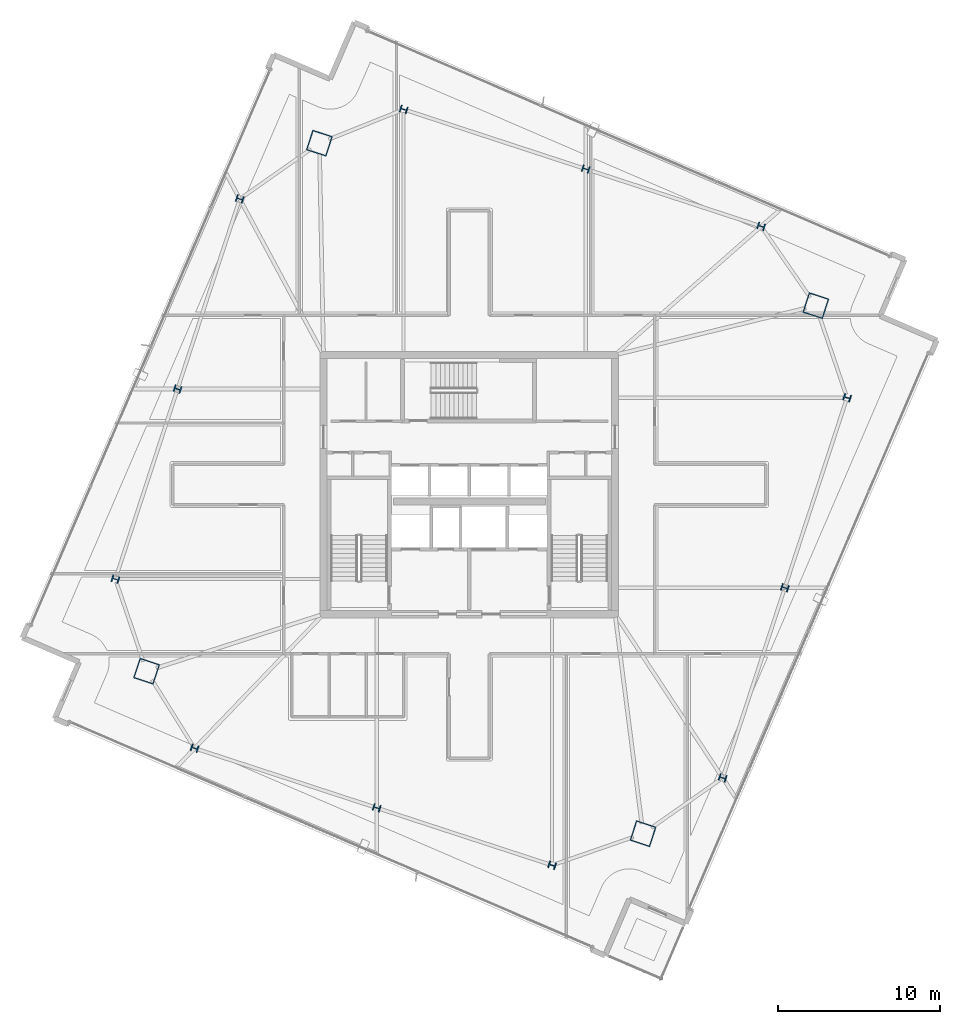
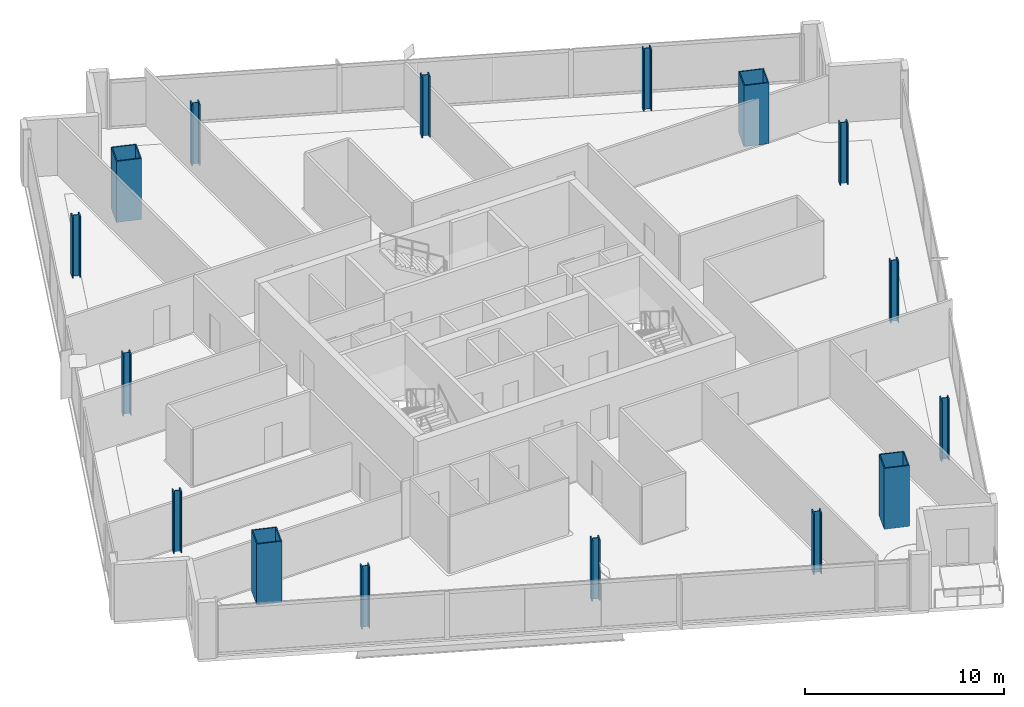
# One storey, part 1 of 28: 16 columns.
"""IFC4 building model written with IfcOpenShell, lengths in metres."""

from ifc_helpers import new_model, si_unit, direction, frame, origin, origin_2d, place, context, subcontext, project, spatial, hollow_rectangle, i_section, extrude, material, material_profile, profile_set, type_object, element, save


model = new_model("IFC4")

# Units and contexts
model_context = context("Model", 3, precision=1e-05, world=origin(), true_north=direction((0.0, 1.0)))
body_context = subcontext(model_context, "Body", "Model", "MODEL_VIEW")
ifc_project = project(units=[si_unit("LENGTHUNIT", "METRE"), si_unit("AREAUNIT", "SQUARE_METRE"), si_unit("VOLUMEUNIT", "CUBIC_METRE"), si_unit("PLANEANGLEUNIT", "RADIAN"), si_unit("MASSUNIT", "GRAM", prefix="KILO")], contexts=[model_context])

# Site, building, storey
site_placement = place(None, origin())
site = spatial("IfcSite", under=ifc_project, at=site_placement, CompositionType="ELEMENT")
building_placement = place(site_placement, origin())
building = spatial("IfcBuilding", under=site, at=building_placement, Name="Haldenkirk Collegiate Tower", CompositionType="ELEMENT")
storey_placement = place(building_placement, frame((0.0, 0.0, 252.449951171875)))
storey = spatial("IfcBuildingStorey", under=building, at=storey_placement, Name="L63", CompositionType="ELEMENT", Elevation=252.449951171875)

# Columns
ifc_material_1 = material(Name="Steel ASTM A913 Grade 65", Category="steel")
ifc_material_profile_1 = material_profile(ifc_material_1, i_section(OverallWidth=0.416015625, OverallDepth=0.445068359375, WebThickness=0.0390625, FlangeThickness=0.062744140625, at=origin_2d()), Name="W14X342")
ifc_profile_set_1 = profile_set([ifc_material_profile_1], Name="Steel ASTM A913 Grade 65")
column_type_1 = type_object("IfcColumnType", Name="COL-INT-W14X342", PredefinedType="COLUMN", material=ifc_profile_set_1)
for number, where, z_axis, x_axis, name in (
    (1, (51.64306640625, 7.888671875, 0.0), (0.0, 0.0, 1.0), (0.311008203279, 0.950407227189, 0.0), "L63 perimeter gravity column PC-S1"),
    (2, (55.4833984375, 19.624267578125, 0.0), (0.0, 0.0, 1.0), (0.311008203279, 0.950407227189, 0.0), "L63 perimeter gravity column PC-S2"),
    (3, (59.32373046875, 31.360107421875, 0.0), (0.0, 0.0, 1.0), (0.311008203279, 0.950407227189, 0.0), "L63 perimeter gravity column PC-S3"),
    (4, (54.01806640625, 41.9365234375, 0.0), (0.0, 0.0, 1.0), (0.311008203279, 0.950407227189, 0.0), "L63 perimeter gravity column PC-E1"),
    (5, (43.18994140625, 45.47998046875, 0.0), (0.0, 0.0, 1.0), (0.311008203279, 0.950407227189, 0.0), "L63 perimeter gravity column PC-E2"),
    (6, (31.949462890625, 49.158203125, 0.0), (0.0, 0.0, 1.0), (0.311008203279, 0.950407227189, 0.0), "L63 perimeter gravity column PC-E3"),
    (7, (21.830078125, 43.629150390625, 0.0), (0.0, 0.0, 1.0), (0.311008203279, 0.950407227189, 0.0), "L63 perimeter gravity column PC-N1"),
    (8, (17.98974609375, 31.8935546875, 0.0), (0.0, 0.0, 1.0), (0.311008203279, 0.950407227189, 0.0), "L63 perimeter gravity column PC-N2"),
    (9, (14.1494140625, 20.157958984375, 0.0), (0.0, 0.0, 1.0), (0.311008203279, 0.950407227189, 0.0), "L63 perimeter gravity column PC-N3"),
    (10, (19.042724609375, 9.71630859375, 0.0), (0.0, 0.0, 1.0), (0.311008203279, 0.950407227189, 0.0), "L63 perimeter gravity column PC-W1"),
    (11, (30.283203125, 6.0380859375, 0.0), (0.0, 0.0, 1.0), (0.311008203279, 0.950407227189, 0.0), "L63 perimeter gravity column PC-W2"),
    (12, (41.111083984375, 2.49462890625, 0.0), (0.0, 0.0, 1.0), (0.311008203279, 0.950407227189, 0.0), "L63 perimeter gravity column PC-W3"),
):
    element("IfcColumn", number, at=place(storey_placement, frame(where, z_axis=z_axis, x_axis=x_axis)), inside=storey, type_object=column_type_1, Name=name, PredefinedType="COLUMN", context=body_context, shape_type="SweptSolid", body=[
        extrude(i_section(OverallWidth=0.416015625, OverallDepth=0.445068359375, WebThickness=0.0390625, FlangeThickness=0.062744140625, at=origin_2d()), origin(), (0.0, 0.0, 1.0), 3.75),
    ])
ifc_material_2 = material(Name="Steel ASTM A572 Grade 50", Category="steel")
ifc_material_profile_2 = material_profile(ifc_material_2, hollow_rectangle(XDim=1.300048828125, YDim=1.300048828125, WallThickness=0.06005859375, at=origin_2d()), Name="BOX1300X1300X60")
ifc_profile_set_2 = profile_set([ifc_material_profile_2], Name="Steel ASTM A572 Grade 50")
column_type_2 = type_object("IfcColumnType", Name="COL-MEGA-BOX1300X1300X60", PredefinedType="COLUMN", material=ifc_profile_set_2)
for number, where, z_axis, x_axis, name in (
    (13, (46.72802734375, 4.444580078125, 0.0), (0.0, 0.0, 1.0), (0.311008203279, 0.950407227189, 0.0), "L63 corner mega-column MC1"),
    (14, (57.395751953125, 37.04345703125, 0.0), (0.0, 0.0, 1.0), (0.311008203279, 0.950407227189, 0.0), "L63 corner mega-column MC2"),
    (15, (26.7451171875, 47.073486328125, 0.0), (0.0, 0.0, 1.0), (0.311008203279, 0.950407227189, 0.0), "L63 corner mega-column MC3"),
    (16, (16.077392578125, 14.474609375, 0.0), (0.0, 0.0, 1.0), (0.311008203279, 0.950407227189, 0.0), "L63 corner mega-column MC4"),
):
    element("IfcColumn", number, at=place(storey_placement, frame(where, z_axis=z_axis, x_axis=x_axis)), inside=storey, type_object=column_type_2, Name=name, PredefinedType="COLUMN", context=body_context, shape_type="SweptSolid", body=[
        extrude(hollow_rectangle(XDim=1.300048828125, YDim=1.300048828125, WallThickness=0.06005859375, at=origin_2d()), origin(), (0.0, 0.0, 1.0), 3.75),
    ])

save(model, "model.ifc")
